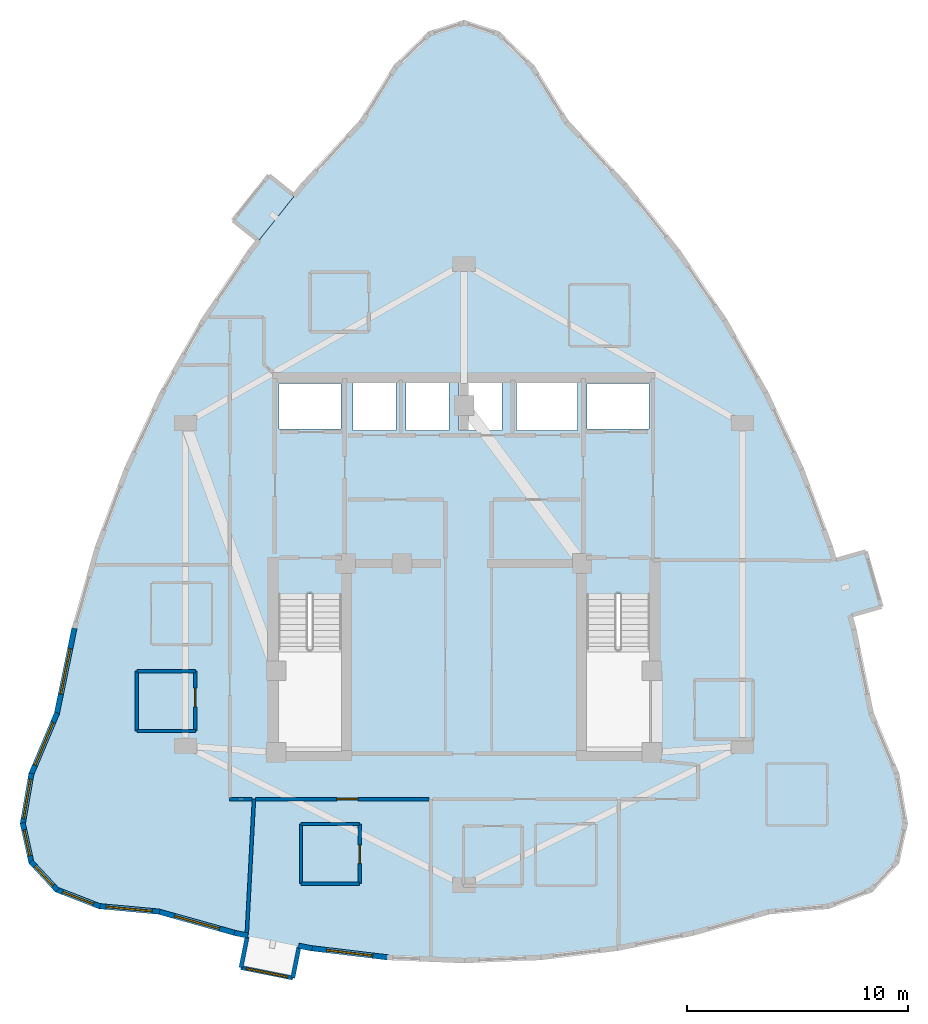
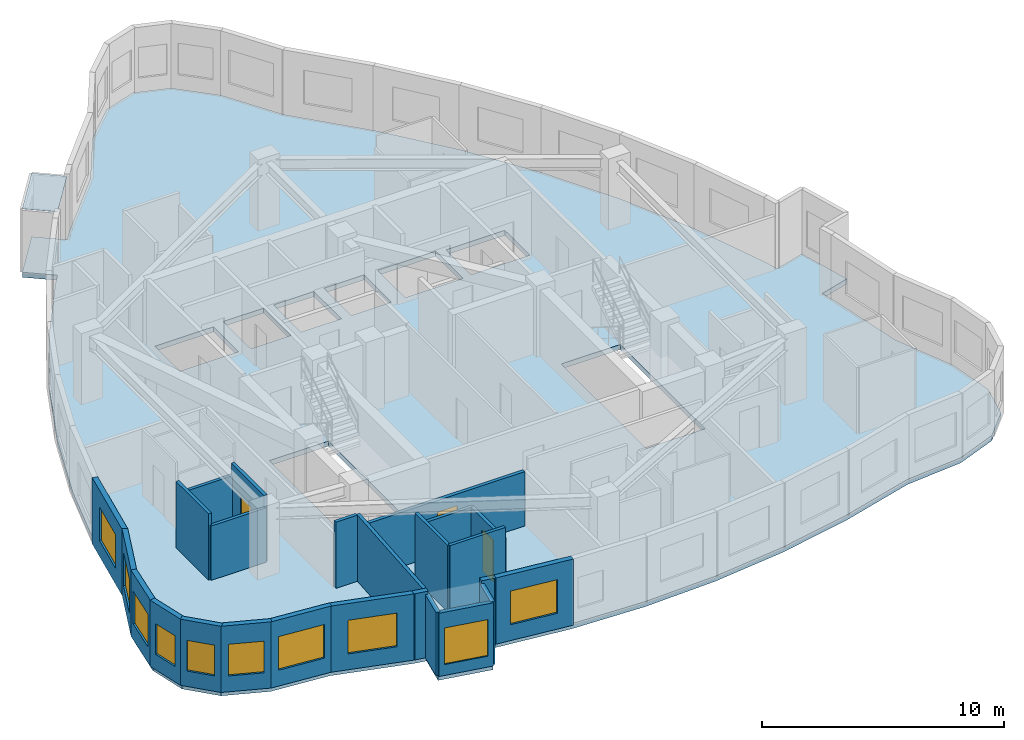
# One storey, part 4 of 10: 25 walls, 10 windows, 3 doors, 1 plate, 1 slab, 13 openings.
"""IFC4 building model written with IfcOpenShell, lengths in metres."""

from ifc_helpers import new_model, si_unit, direction, frame, frame_2d, origin, place, context, subcontext, project, spatial, polyline, rectangle, outline, extrude, material, layer, layer_set, type_object, element, fill, save


model = new_model("IFC4")

# Units and contexts
model_context = context("Model", 3, precision=1e-05, world=origin(), true_north=direction((0.0, 1.0)))
body_context = subcontext(model_context, "Body", "Model", "MODEL_VIEW")
ifc_project = project(units=[si_unit("LENGTHUNIT", "METRE"), si_unit("AREAUNIT", "SQUARE_METRE"), si_unit("VOLUMEUNIT", "CUBIC_METRE"), si_unit("PLANEANGLEUNIT", "RADIAN"), si_unit("MASSUNIT", "GRAM", prefix="KILO")], contexts=[model_context])

# Site, building, storey
site_placement = place(None, origin())
site = spatial("IfcSite", under=ifc_project, at=site_placement, CompositionType="ELEMENT")
building_placement = place(site_placement, origin())
building = spatial("IfcBuilding", under=site, at=building_placement, Name="Miruveldt Soraemaru", CompositionType="ELEMENT")
storey_placement = place(building_placement, frame((0.0, 0.0, 230.39990234375)))
storey = spatial("IfcBuildingStorey", under=building, at=storey_placement, Name="L63", CompositionType="ELEMENT", Elevation=230.39990234375)

# Plate
ifc_material_1 = material(Name="Standing-seam titanium-zinc sheet", Category="aluminium")
ifc_layer_1 = layer(ifc_material_1, 0.011962890625, Name="Standing-seam titanium-zinc sheet", Category="aluminium")
ifc_layer_set_1 = layer_set([ifc_layer_1], Name="Standing-seam titanium-zinc sheet")
plate_type = type_object("IfcPlateType", Name="PLT-ZINC-12", PredefinedType="SHEET", material=ifc_layer_set_1)
plate_placement = place(storey_placement, frame((0.0, 0.0, 3.195068359375)))
element("IfcPlate", 1, at=plate_placement, inside=storey, type_object=plate_type, Name="L63 Bay Window Zinc Hood Sheet 1", PredefinedType="SHEET", context=body_context, shape_type="SweptSolid", body=[
    extrude(outline(polyline([(36.333251953125, 60.684814453125), (34.7119140625, 58.652099609375), (33.5546875, 59.5751953125), (35.17626953125, 61.607666015625), (36.333251953125, 60.684814453125)])), origin(), (0.0, 0.0, 1.0), 0.011962890625),
])

# Slab
ifc_material_2 = material(Name="Concrete C40/50 (40 MPa)", Category="concrete")
ifc_layer_2 = layer(ifc_material_2, 0.2548828125, Name="Concrete C40/50 (40 MPa)", Category="concrete")
ifc_layer_set_2 = layer_set([ifc_layer_2], Name="Concrete C40/50 (40 MPa)")
slab_type = type_object("IfcSlabType", Name="SLAB-RES3-255", PredefinedType="FLOOR", material=ifc_layer_set_2)
slab_placement = place(storey_placement, frame((0.0, 0.0, -0.2548828125)))
element("IfcSlab", 2, at=slab_placement, inside=storey, type_object=slab_type, Name="L63 Structural Floor Slab", PredefinedType="FLOOR", context=body_context, shape_type="SweptSolid", body=[
    extrude(outline(polyline([(33.65087890625, 27.338134765625), (30.201416015625, 28.303955078125), (27.507080078125, 28.552978515625), (25.58251953125, 29.299560546875), (24.427734375, 30.5439453125), (24.04296875, 32.2861328125), (24.427734375, 34.526123046875), (25.58251953125, 37.263916015625), (26.37060546875, 41.093017578125), (27.426025390625, 44.783935546875), (28.74951171875, 48.3369140625), (30.34033203125, 51.751953125), (32.19921875, 55.02880859375), (34.325439453125, 58.16796875), (34.7119140625, 58.652099609375), (33.5546875, 59.5751953125), (35.17626953125, 61.607666015625), (36.333251953125, 60.684814453125), (35.5224609375, 59.66845703125), (36.719482421875, 61.1689453125), (39.381103515625, 64.031982421875), (40.9208984375, 66.52099609375), (42.46044921875, 68.014404296875), (44.0, 68.511962890625), (45.53955078125, 68.014404296875), (47.0791015625, 66.52099609375), (48.618896484375, 64.031982421875), (51.280517578125, 61.1689453125), (53.674560546875, 58.16796875), (55.80078125, 55.02880859375), (57.65966796875, 51.751953125), (59.25048828125, 48.3369140625), (60.573974609375, 44.783935546875), (60.744140625, 44.188232421875), (62.167236328125, 44.59521484375), (62.882080078125, 42.095458984375), (61.459228515625, 41.6884765625), (61.101806640625, 42.9384765625), (61.62939453125, 41.093017578125), (62.41748046875, 37.263916015625), (63.572265625, 34.526123046875), (63.95703125, 32.2861328125), (63.572265625, 30.5439453125), (62.41748046875, 29.299560546875), (60.492919921875, 28.552978515625), (57.798583984375, 28.303955078125), (54.34912109375, 27.338134765625), (50.8994140625, 26.648193359375), (47.44970703125, 26.234130859375), (44.0, 26.09619140625), (40.55029296875, 26.234130859375), (37.1005859375, 26.648193359375), (36.548583984375, 26.758544921875), (36.25830078125, 25.307373046875), (33.912841796875, 25.7763671875), (34.202880859375, 27.227783203125), (33.65087890625, 27.338134765625)]), holes=[polyline([(35.614990234375, 35.6650390625), (38.43505859375, 35.6650390625), (38.43505859375, 42.68505859375), (35.614990234375, 42.68505859375), (35.614990234375, 35.6650390625)]), polyline([(49.56494140625, 35.6650390625), (52.385009765625, 35.6650390625), (52.385009765625, 42.68505859375), (49.56494140625, 42.68505859375), (49.56494140625, 35.6650390625)]), polyline([(38.445068359375, 50.135009765625), (38.445068359375, 52.205078125), (35.635009765625, 52.205078125), (35.635009765625, 50.135009765625), (38.445068359375, 50.135009765625)]), polyline([(52.364990234375, 50.135009765625), (52.364990234375, 52.205078125), (49.554931640625, 52.205078125), (49.554931640625, 50.135009765625), (52.364990234375, 50.135009765625)]), polyline([(40.9150390625, 50.06494140625), (40.9150390625, 52.3349609375), (38.985107421875, 52.3349609375), (38.985107421875, 50.06494140625), (40.9150390625, 50.06494140625)]), polyline([(43.31494140625, 50.06494140625), (43.31494140625, 52.3349609375), (41.385009765625, 52.3349609375), (41.385009765625, 50.06494140625), (43.31494140625, 50.06494140625)]), polyline([(45.715087890625, 50.06494140625), (45.715087890625, 52.3349609375), (43.784912109375, 52.3349609375), (43.784912109375, 50.06494140625), (45.715087890625, 50.06494140625)]), polyline([(49.135009765625, 50.06494140625), (49.135009765625, 52.3349609375), (46.364990234375, 52.3349609375), (46.364990234375, 50.06494140625), (49.135009765625, 50.06494140625)])]), origin(), (0.0, 0.0, 1.0), 0.2548828125),
])

# Walls
ifc_material_3 = material(Name="White powder-coated aluminium EN AW-6060 T6", Category="aluminium")
ifc_layer_3 = layer(ifc_material_3, 0.18994140625, Name="White powder-coated aluminium EN AW-6060 T6", Category="aluminium")
ifc_layer_set_3 = layer_set([ifc_layer_3], Name="White powder-coated aluminium EN AW-6060 T6")
wall_type_1 = type_object("IfcWallType", Name="WALL-BAY-ALU190", PredefinedType="SOLIDWALL", material=ifc_layer_set_3)
wall_1_placement = place(storey_placement, frame((34.192138671875, 27.173828125, 0.0), z_axis=(0.0, 0.0, 1.0), x_axis=(-0.195984352603, -0.980607022989, 0.0)))
element("IfcWall", 3, at=wall_1_placement, inside=storey, type_object=wall_type_1, Name="L63 Bay Window Side Cheek 2L", PredefinedType="SOLIDWALL", context=body_context, shape_type="SweptSolid", body=[
    extrude(rectangle(XDim=1.425048828125, YDim=0.18994140625, at=frame_2d((0.71240234375, 0.0))), origin(), (0.0, 0.0, 1.0), 3.195068359375),
])
wall_2_placement = place(storey_placement, frame((36.25830078125, 25.307373046875, 0.0), z_axis=(0.0, 0.0, 1.0), x_axis=(0.196182033934, 0.980567493629, 0.0)))
element("IfcWall", 4, at=wall_2_placement, inside=storey, type_object=wall_type_1, Name="L63 Bay Window Side Cheek 2R", PredefinedType="SOLIDWALL", context=body_context, shape_type="SweptSolid", body=[
    extrude(rectangle(XDim=1.4248046875, YDim=0.18994140625, at=frame_2d((0.71240234375, 0.0))), origin(), (0.0, 0.0, 1.0), 3.195068359375),
])

# Wall, opening, window
wall_3_placement = place(storey_placement, frame((33.912841796875, 25.7763671875, 0.0), z_axis=(0.0, 0.0, 1.0), x_axis=(0.98058852646, -0.196076877207, 0.0)))
wall_3 = element("IfcWall", 5, at=wall_3_placement, inside=storey, type_object=wall_type_1, Name="L63 Bay Window Front Frame 2", PredefinedType="SOLIDWALL", context=body_context, shape_type="SweptSolid", body=[
    extrude(rectangle(XDim=2.391845703125, YDim=0.18994140625, at=frame_2d((1.19580078125, 0.0))), origin(), (0.0, 0.0, 1.0), 3.195068359375),
])
opening_1_placement = place(wall_3_placement, frame((0.24609375, 0.0, 0.550048828125)))
opening_1 = element("IfcOpeningElement", 6, at=opening_1_placement, cuts=wall_3, Name="Opening WN-6", PredefinedType="OPENING", context=body_context, shape_type="SweptSolid", body=[
    extrude(rectangle(XDim=1.89990234375, YDim=1.85009765625, at=frame_2d((0.949951171875, 0.925048828125))), frame((0.0, 0.10498046875, 0.0), z_axis=(0.0, -1.0, 0.0), x_axis=(1.0, 0.0, 0.0)), (0.0, 0.0, 1.0), 0.2099609375),
])
ifc_material_4 = material(Name="Triple low-e insulated glazing", Category="glass")
window_type_1 = type_object("IfcWindowType", Name="WIN-BAYW-1900x1850", PartitioningType="SINGLE_PANEL", PredefinedType="WINDOW", material=ifc_material_4)
window_1_placement = place(opening_1_placement, origin())
window_1 = element("IfcWindow", 7, at=window_1_placement, inside=storey, type_object=window_type_1, Name="L63 Projecting Bay Window 2", OverallHeight=1.85009765625, OverallWidth=1.89990234375, PartitioningType="SINGLE_PANEL", PredefinedType="WINDOW", context=body_context, shape_type="SweptSolid", body=[
    extrude(rectangle(XDim=1.89990234375, YDim=1.85009765625, at=frame_2d((0.949951171875, 0.925048828125))), frame((0.0, 0.030029296875, 0.0), z_axis=(0.0, -1.0, 0.0), x_axis=(1.0, 0.0, 0.0)), (0.0, 0.0, 1.0), 0.06005859375),
])
fill(opening_1, window_1)

ifc_material_5 = material(Name="Precast concrete C45/55 (45 MPa)", Category="concrete")
ifc_layer_4 = layer(ifc_material_5, 0.239990234375, Name="Precast concrete C45/55 (45 MPa)", Category="concrete")
ifc_layer_set_4 = layer_set([ifc_layer_4], Name="Precast concrete C45/55 (45 MPa)")
wall_type_2 = type_object("IfcWallType", Name="WALL-EXT-PC240", PredefinedType="SOLIDWALL", material=ifc_layer_set_4)
wall_4_placement = place(storey_placement, frame((26.377685546875, 41.127197265625, 0.0), z_axis=(0.0, 0.0, 1.0), x_axis=(-0.20159925737, -0.979468090051, 0.0)))
wall_4 = element("IfcWall", 8, at=wall_4_placement, inside=storey, type_object=wall_type_2, Name="L63 Precast Concrete Facade Wall 14", PredefinedType="SOLIDWALL", context=body_context, shape_type="SweptSolid", body=[
    extrude(rectangle(XDim=3.9794921875, YDim=0.239990234375, at=frame_2d((1.98974609375, 0.0))), origin(), (0.0, 0.0, 1.0), 3.34521484375),
])
opening_2_placement = place(wall_4_placement, frame((0.93994140625, 0.0, 0.800048828125)))
opening_2 = element("IfcOpeningElement", 9, at=opening_2_placement, cuts=wall_4, Name="Opening WN-1", PredefinedType="OPENING", context=body_context, shape_type="SweptSolid", body=[
    extrude(rectangle(XDim=2.10009765625, YDim=1.699951171875, at=frame_2d((1.050048828125, 0.85009765625))), frame((0.0, 0.1298828125, 0.0), z_axis=(0.0, -1.0, 0.0), x_axis=(1.0, 0.0, 0.0)), (0.0, 0.0, 1.0), 0.260009765625),
])
window_type_2 = type_object("IfcWindowType", Name="WIN-PUNCH-2100x1700", PartitioningType="SINGLE_PANEL", PredefinedType="WINDOW", material=ifc_material_4)
window_2_placement = place(opening_2_placement, origin())
window_2 = element("IfcWindow", 10, at=window_2_placement, inside=storey, type_object=window_type_2, Name="L63 Punched Triple-Glazed Window 14.1", OverallHeight=1.699951171875, OverallWidth=2.10009765625, PartitioningType="SINGLE_PANEL", PredefinedType="WINDOW", context=body_context, shape_type="SweptSolid", body=[
    extrude(rectangle(XDim=2.10009765625, YDim=1.699951171875, at=frame_2d((1.050048828125, 0.85009765625))), frame((0.0, 0.030029296875, 0.0), z_axis=(0.0, -1.0, 0.0), x_axis=(1.0, 0.0, 0.0)), (0.0, 0.0, 1.0), 0.06005859375),
])
fill(opening_2, window_2)

wall_5_placement = place(storey_placement, frame((25.59619140625, 37.296142578125, 0.0), z_axis=(0.0, 0.0, 1.0), x_axis=(-0.388613190648, -0.921400991998, 0.0)))
wall_5 = element("IfcWall", 11, at=wall_5_placement, inside=storey, type_object=wall_type_2, Name="L63 Precast Concrete Facade Wall 15", PredefinedType="SOLIDWALL", context=body_context, shape_type="SweptSolid", body=[
    extrude(rectangle(XDim=3.041259765625, YDim=0.239990234375, at=frame_2d((1.5205078125, 0.0))), origin(), (0.0, 0.0, 1.0), 3.34521484375),
])
opening_3_placement = place(wall_5_placement, frame((0.470947265625, 0.0, 0.800048828125)))
opening_3 = element("IfcOpeningElement", 12, at=opening_3_placement, cuts=wall_5, Name="Opening WN-1", PredefinedType="OPENING", context=body_context, shape_type="SweptSolid", body=[
    extrude(rectangle(XDim=2.10009765625, YDim=1.699951171875, at=frame_2d((1.050048828125, 0.85009765625))), frame((0.0, 0.1298828125, 0.0), z_axis=(0.0, -1.0, 0.0), x_axis=(1.0, 0.0, 0.0)), (0.0, 0.0, 1.0), 0.260009765625),
])
window_3_placement = place(opening_3_placement, origin())
window_3 = element("IfcWindow", 13, at=window_3_placement, inside=storey, type_object=window_type_2, Name="L63 Punched Triple-Glazed Window 15.1", OverallHeight=1.699951171875, OverallWidth=2.10009765625, PartitioningType="SINGLE_PANEL", PredefinedType="WINDOW", context=body_context, shape_type="SweptSolid", body=[
    extrude(rectangle(XDim=2.10009765625, YDim=1.699951171875, at=frame_2d((1.050048828125, 0.85009765625))), frame((0.0, 0.030029296875, 0.0), z_axis=(0.0, -1.0, 0.0), x_axis=(1.0, 0.0, 0.0)), (0.0, 0.0, 1.0), 0.06005859375),
])
fill(opening_3, window_3)

wall_6_placement = place(storey_placement, frame((24.43359375, 34.560791015625, 0.0), z_axis=(0.0, 0.0, 1.0), x_axis=(-0.16922990098, -0.985576603118, 0.0)))
wall_6 = element("IfcWall", 14, at=wall_6_placement, inside=storey, type_object=wall_type_2, Name="L63 Precast Concrete Facade Wall 16", PredefinedType="SOLIDWALL", context=body_context, shape_type="SweptSolid", body=[
    extrude(rectangle(XDim=2.3427734375, YDim=0.239990234375, at=frame_2d((1.17138671875, 0.0))), origin(), (0.0, 0.0, 1.0), 3.34521484375),
])
opening_4_placement = place(wall_6_placement, frame((0.27099609375, 0.0, 0.800048828125)))
opening_4 = element("IfcOpeningElement", 15, at=opening_4_placement, cuts=wall_6, Name="Opening WN-2", PredefinedType="OPENING", context=body_context, shape_type="SweptSolid", body=[
    extrude(rectangle(XDim=1.800048828125, YDim=1.64990234375, at=frame_2d((0.89990234375, 0.824951171875))), frame((0.0, 0.1298828125, 0.0), z_axis=(0.0, -1.0, 0.0), x_axis=(1.0, 0.0, 0.0)), (0.0, 0.0, 1.0), 0.260009765625),
])
window_type_3 = type_object("IfcWindowType", Name="WIN-PUNCH-1800x1650", PartitioningType="SINGLE_PANEL", PredefinedType="WINDOW", material=ifc_material_4)
window_4_placement = place(opening_4_placement, origin())
window_4 = element("IfcWindow", 16, at=window_4_placement, inside=storey, type_object=window_type_3, Name="L63 Punched Triple-Glazed Window 16.1", OverallHeight=1.64990234375, OverallWidth=1.800048828125, PartitioningType="SINGLE_PANEL", PredefinedType="WINDOW", context=body_context, shape_type="SweptSolid", body=[
    extrude(rectangle(XDim=1.800048828125, YDim=1.64990234375, at=frame_2d((0.89990234375, 0.824951171875))), frame((0.0, 0.030029296875, 0.0), z_axis=(0.0, -1.0, 0.0), x_axis=(1.0, 0.0, 0.0)), (0.0, 0.0, 1.0), 0.06005859375),
])
fill(opening_4, window_4)

wall_7_placement = place(storey_placement, frame((24.035400390625, 32.3203125, 0.0), z_axis=(0.0, 0.0, 1.0), x_axis=(0.215675540506, -0.97646508449, 0.0)))
wall_7 = element("IfcWall", 17, at=wall_7_placement, inside=storey, type_object=wall_type_2, Name="L63 Precast Concrete Facade Wall 17", PredefinedType="SOLIDWALL", context=body_context, shape_type="SweptSolid", body=[
    extrude(rectangle(XDim=1.854248046875, YDim=0.239990234375, at=frame_2d((0.92724609375, 0.0))), origin(), (0.0, 0.0, 1.0), 3.34521484375),
])
opening_5_placement = place(wall_7_placement, frame((0.326904296875, 0.0, 0.780029296875)))
opening_5 = element("IfcOpeningElement", 18, at=opening_5_placement, cuts=wall_7, Name="Opening WN-4", PredefinedType="OPENING", context=body_context, shape_type="SweptSolid", body=[
    extrude(rectangle(XDim=1.199951171875, YDim=1.550048828125, at=frame_2d((0.60009765625, 0.77490234375))), frame((0.0, 0.1298828125, 0.0), z_axis=(0.0, -1.0, 0.0), x_axis=(1.0, 0.0, 0.0)), (0.0, 0.0, 1.0), 0.260009765625),
])
window_type_4 = type_object("IfcWindowType", Name="WIN-PUNCH-1200x1550", PartitioningType="SINGLE_PANEL", PredefinedType="WINDOW", material=ifc_material_4)
window_5_placement = place(opening_5_placement, origin())
window_5 = element("IfcWindow", 19, at=window_5_placement, inside=storey, type_object=window_type_4, Name="L63 Punched Triple-Glazed Window 17.1", OverallHeight=1.550048828125, OverallWidth=1.199951171875, PartitioningType="SINGLE_PANEL", PredefinedType="WINDOW", context=body_context, shape_type="SweptSolid", body=[
    extrude(rectangle(XDim=1.199951171875, YDim=1.550048828125, at=frame_2d((0.60009765625, 0.77490234375))), frame((0.0, 0.030029296875, 0.0), z_axis=(0.0, -1.0, 0.0), x_axis=(1.0, 0.0, 0.0)), (0.0, 0.0, 1.0), 0.06005859375),
])
fill(opening_5, window_5)

wall_8_placement = place(storey_placement, frame((24.404052734375, 30.569580078125, 0.0), z_axis=(0.0, 0.0, 1.0), x_axis=(0.680090776323, -0.733127912414, 0.0)))
wall_8 = element("IfcWall", 20, at=wall_8_placement, inside=storey, type_object=wall_type_2, Name="L63 Precast Concrete Facade Wall 18", PredefinedType="SOLIDWALL", context=body_context, shape_type="SweptSolid", body=[
    extrude(rectangle(XDim=1.767578125, YDim=0.239990234375, at=frame_2d((0.8837890625, 0.0))), origin(), (0.0, 0.0, 1.0), 3.34521484375),
])
opening_6_placement = place(wall_8_placement, frame((0.283935546875, 0.0, 0.780029296875)))
opening_6 = element("IfcOpeningElement", 21, at=opening_6_placement, cuts=wall_8, Name="Opening WN-4", PredefinedType="OPENING", context=body_context, shape_type="SweptSolid", body=[
    extrude(rectangle(XDim=1.199951171875, YDim=1.550048828125, at=frame_2d((0.60009765625, 0.77490234375))), frame((0.0, 0.1298828125, 0.0), z_axis=(0.0, -1.0, 0.0), x_axis=(1.0, 0.0, 0.0)), (0.0, 0.0, 1.0), 0.260009765625),
])
window_6_placement = place(opening_6_placement, origin())
window_6 = element("IfcWindow", 22, at=window_6_placement, inside=storey, type_object=window_type_4, Name="L63 Punched Triple-Glazed Window 18.1", OverallHeight=1.550048828125, OverallWidth=1.199951171875, PartitioningType="SINGLE_PANEL", PredefinedType="WINDOW", context=body_context, shape_type="SweptSolid", body=[
    extrude(rectangle(XDim=1.199951171875, YDim=1.550048828125, at=frame_2d((0.60009765625, 0.77490234375))), frame((0.0, 0.030029296875, 0.0), z_axis=(0.0, -1.0, 0.0), x_axis=(1.0, 0.0, 0.0)), (0.0, 0.0, 1.0), 0.06005859375),
])
fill(opening_6, window_6)

wall_9_placement = place(storey_placement, frame((25.5498046875, 29.312255859375, 0.0), z_axis=(0.0, 0.0, 1.0), x_axis=(0.932292043889, -0.361706434697, 0.0)))
wall_9 = element("IfcWall", 23, at=wall_9_placement, inside=storey, type_object=wall_type_2, Name="L63 Precast Concrete Facade Wall 19", PredefinedType="SOLIDWALL", context=body_context, shape_type="SweptSolid", body=[
    extrude(rectangle(XDim=2.13427734375, YDim=0.239990234375, at=frame_2d((1.067138671875, 0.0))), origin(), (0.0, 0.0, 1.0), 3.34521484375),
])
opening_7_placement = place(wall_9_placement, frame((0.31689453125, 0.0, 0.800048828125)))
opening_7 = element("IfcOpeningElement", 24, at=opening_7_placement, cuts=wall_9, Name="Opening WN-3", PredefinedType="OPENING", context=body_context, shape_type="SweptSolid", body=[
    extrude(rectangle(XDim=1.5, YDim=1.60009765625, at=frame_2d((0.75, 0.800048828125))), frame((0.0, 0.1298828125, 0.0), z_axis=(0.0, -1.0, 0.0), x_axis=(1.0, 0.0, 0.0)), (0.0, 0.0, 1.0), 0.260009765625),
])
window_type_5 = type_object("IfcWindowType", Name="WIN-PUNCH-1500x1600", PartitioningType="SINGLE_PANEL", PredefinedType="WINDOW", material=ifc_material_4)
window_7_placement = place(opening_7_placement, origin())
window_7 = element("IfcWindow", 25, at=window_7_placement, inside=storey, type_object=window_type_5, Name="L63 Punched Triple-Glazed Window 19.1", OverallHeight=1.60009765625, OverallWidth=1.5, PartitioningType="SINGLE_PANEL", PredefinedType="WINDOW", context=body_context, shape_type="SweptSolid", body=[
    extrude(rectangle(XDim=1.5, YDim=1.60009765625, at=frame_2d((0.75, 0.800048828125))), frame((0.0, 0.030029296875, 0.0), z_axis=(0.0, -1.0, 0.0), x_axis=(1.0, 0.0, 0.0)), (0.0, 0.0, 1.0), 0.06005859375),
])
fill(opening_7, window_7)

wall_10_placement = place(storey_placement, frame((27.47216796875, 28.55615234375, 0.0), z_axis=(0.0, 0.0, 1.0), x_axis=(0.995758748677, -0.092002795788, 0.0)))
wall_10 = element("IfcWall", 26, at=wall_10_placement, inside=storey, type_object=wall_type_2, Name="L63 Precast Concrete Facade Wall 20", PredefinedType="SOLIDWALL", context=body_context, shape_type="SweptSolid", body=[
    extrude(rectangle(XDim=2.775634765625, YDim=0.239990234375, at=frame_2d((1.3876953125, 0.0))), origin(), (0.0, 0.0, 1.0), 3.34521484375),
])
opening_8_placement = place(wall_10_placement, frame((0.337890625, 0.0, 0.800048828125)))
opening_8 = element("IfcOpeningElement", 27, at=opening_8_placement, cuts=wall_10, Name="Opening WN-1", PredefinedType="OPENING", context=body_context, shape_type="SweptSolid", body=[
    extrude(rectangle(XDim=2.10009765625, YDim=1.699951171875, at=frame_2d((1.050048828125, 0.85009765625))), frame((0.0, 0.1298828125, 0.0), z_axis=(0.0, -1.0, 0.0), x_axis=(1.0, 0.0, 0.0)), (0.0, 0.0, 1.0), 0.260009765625),
])
window_8_placement = place(opening_8_placement, origin())
window_8 = element("IfcWindow", 28, at=window_8_placement, inside=storey, type_object=window_type_2, Name="L63 Punched Triple-Glazed Window 20.1", OverallHeight=1.699951171875, OverallWidth=2.10009765625, PartitioningType="SINGLE_PANEL", PredefinedType="WINDOW", context=body_context, shape_type="SweptSolid", body=[
    extrude(rectangle(XDim=2.10009765625, YDim=1.699951171875, at=frame_2d((1.050048828125, 0.85009765625))), frame((0.0, 0.030029296875, 0.0), z_axis=(0.0, -1.0, 0.0), x_axis=(1.0, 0.0, 0.0)), (0.0, 0.0, 1.0), 0.06005859375),
])
fill(opening_8, window_8)

wall_11_placement = place(storey_placement, frame((30.16748046875, 28.3134765625, 0.0), z_axis=(0.0, 0.0, 1.0), x_axis=(0.962963325527, -0.269632404746, 0.0)))
wall_11 = element("IfcWall", 29, at=wall_11_placement, inside=storey, type_object=wall_type_2, Name="L63 Precast Concrete Facade Wall 21", PredefinedType="SOLIDWALL", context=body_context, shape_type="SweptSolid", body=[
    extrude(rectangle(XDim=3.652587890625, YDim=0.239990234375, at=frame_2d((1.826171875, 0.0))), origin(), (0.0, 0.0, 1.0), 3.34521484375),
])
opening_9_placement = place(wall_11_placement, frame((0.77587890625, 0.0, 0.800048828125)))
opening_9 = element("IfcOpeningElement", 30, at=opening_9_placement, cuts=wall_11, Name="Opening WN-1", PredefinedType="OPENING", context=body_context, shape_type="SweptSolid", body=[
    extrude(rectangle(XDim=2.10009765625, YDim=1.699951171875, at=frame_2d((1.050048828125, 0.85009765625))), frame((0.0, 0.1298828125, 0.0), z_axis=(0.0, -1.0, 0.0), x_axis=(1.0, 0.0, 0.0)), (0.0, 0.0, 1.0), 0.260009765625),
])
window_9_placement = place(opening_9_placement, origin())
window_9 = element("IfcWindow", 31, at=window_9_placement, inside=storey, type_object=window_type_2, Name="L63 Punched Triple-Glazed Window 21.1", OverallHeight=1.699951171875, OverallWidth=2.10009765625, PartitioningType="SINGLE_PANEL", PredefinedType="WINDOW", context=body_context, shape_type="SweptSolid", body=[
    extrude(rectangle(XDim=2.10009765625, YDim=1.699951171875, at=frame_2d((1.050048828125, 0.85009765625))), frame((0.0, 0.030029296875, 0.0), z_axis=(0.0, -1.0, 0.0), x_axis=(1.0, 0.0, 0.0)), (0.0, 0.0, 1.0), 0.06005859375),
])
fill(opening_9, window_9)

# Walls
for number, where, z_axis, x_axis, name in (
    (32, (33.61669921875, 27.344970703125, 0.0), (0.0, 0.0, 1.0), (0.980535789313, -0.196340433625, 0.0), "L63 Precast Pier Wall 22A"),
    (33, (36.519287109375, 26.764404296875, 0.0), (0.0, 0.0, 1.0), (0.980610573717, -0.195966585707, 0.0), "L63 Precast Pier Wall 22B"),
):
    element("IfcWall", number, at=place(storey_placement, frame(where, z_axis=z_axis, x_axis=x_axis)), inside=storey, type_object=wall_type_2, Name=name, PredefinedType="SOLIDWALL", context=body_context, shape_type="SweptSolid", body=[
        extrude(rectangle(XDim=0.6279296875, YDim=0.239990234375, at=frame_2d((0.31396484375, 0.0))), origin(), (0.0, 0.0, 1.0), 3.34521484375),
    ])

# Wall, opening, window
wall_12_placement = place(storey_placement, frame((37.06591796875, 26.65234375, 0.0), z_axis=(0.0, 0.0, 1.0), x_axis=(0.99287520879, -0.119158800639, 0.0)))
wall_12 = element("IfcWall", 34, at=wall_12_placement, inside=storey, type_object=wall_type_2, Name="L63 Precast Concrete Facade Wall 23", PredefinedType="SOLIDWALL", context=body_context, shape_type="SweptSolid", body=[
    extrude(rectangle(XDim=3.54443359375, YDim=0.239990234375, at=frame_2d((1.772216796875, 0.0))), origin(), (0.0, 0.0, 1.0), 3.34521484375),
])
opening_10_placement = place(wall_12_placement, frame((0.722900390625, 0.0, 0.800048828125)))
opening_10 = element("IfcOpeningElement", 35, at=opening_10_placement, cuts=wall_12, Name="Opening WN-1", PredefinedType="OPENING", context=body_context, shape_type="SweptSolid", body=[
    extrude(rectangle(XDim=2.10009765625, YDim=1.699951171875, at=frame_2d((1.050048828125, 0.85009765625))), frame((0.0, 0.1298828125, 0.0), z_axis=(0.0, -1.0, 0.0), x_axis=(1.0, 0.0, 0.0)), (0.0, 0.0, 1.0), 0.260009765625),
])
window_10_placement = place(opening_10_placement, origin())
window_10 = element("IfcWindow", 36, at=window_10_placement, inside=storey, type_object=window_type_2, Name="L63 Punched Triple-Glazed Window 23.1", OverallHeight=1.699951171875, OverallWidth=2.10009765625, PartitioningType="SINGLE_PANEL", PredefinedType="WINDOW", context=body_context, shape_type="SweptSolid", body=[
    extrude(rectangle(XDim=2.10009765625, YDim=1.699951171875, at=frame_2d((1.050048828125, 0.85009765625))), frame((0.0, 0.030029296875, 0.0), z_axis=(0.0, -1.0, 0.0), x_axis=(1.0, 0.0, 0.0)), (0.0, 0.0, 1.0), 0.06005859375),
])
fill(opening_10, window_10)

# Wall, opening, door
ifc_material_6 = material(Name="Gypsum plasterboard lining", Category="gypsum")
ifc_layer_5 = layer(ifc_material_6, 0.14990234375, Name="Gypsum plasterboard lining", Category="gypsum")
ifc_layer_set_5 = layer_set([ifc_layer_5], Name="Gypsum plasterboard lining")
wall_type_3 = type_object("IfcWallType", Name="WALL-INT-PLUMB", PredefinedType="PLUMBINGWALL", material=ifc_layer_set_5)
wall_13_placement = place(storey_placement, frame((31.85009765625, 36.47998046875, 0.0), z_axis=(0.0, 0.0, 1.0), x_axis=(0.0, 1.0, 0.0)))
wall_13 = element("IfcWall", 37, at=wall_13_placement, inside=storey, type_object=wall_type_3, Name="L63 Partition Wall 24", PredefinedType="PLUMBINGWALL", context=body_context, shape_type="SweptSolid", body=[
    extrude(rectangle(XDim=2.699951171875, YDim=0.14990234375, at=frame_2d((1.35009765625, 0.0))), origin(), (0.0, 0.0, 1.0), 3.34521484375),
])
opening_11_placement = place(wall_13_placement, frame((1.090087890625, 0.0, 0.0)))
opening_11 = element("IfcOpeningElement", 38, at=opening_11_placement, cuts=wall_13, Name="Opening FD3", PredefinedType="OPENING", context=body_context, shape_type="SweptSolid", body=[
    extrude(rectangle(XDim=0.85009765625, YDim=2.10009765625, at=frame_2d((0.425048828125, 1.050048828125))), frame((0.0, 0.0849609375, 0.0), z_axis=(0.0, -1.0, 0.0), x_axis=(1.0, 0.0, 0.0)), (0.0, 0.0, 1.0), 0.169921875),
])
ifc_material_7 = material(Name="Anodised aluminium EN AW-6063 T6", Category="aluminium")
door_type_1 = type_object("IfcDoorType", Name="DOOR-FD3-850", OperationType="NOTDEFINED", PredefinedType="DOOR", material=ifc_material_7)
door_1_placement = place(opening_11_placement, origin())
door_1 = element("IfcDoor", 39, at=door_1_placement, inside=storey, type_object=door_type_1, Name="L63 Unit 6303 BTH Door", OperationType="SINGLE_SWING_RIGHT", OverallHeight=2.10009765625, OverallWidth=0.85009765625, PredefinedType="DOOR", context=body_context, shape_type="SweptSolid", body=[
    extrude(rectangle(XDim=0.85009765625, YDim=2.10009765625, at=frame_2d((0.425048828125, 1.050048828125))), frame((0.0, 0.02490234375, 0.0), z_axis=(0.0, -1.0, 0.0), x_axis=(1.0, 0.0, 0.0)), (0.0, 0.0, 1.0), 0.050048828125),
])
fill(opening_11, door_1)

wall_14_placement = place(storey_placement, frame((39.280029296875, 29.568115234375, 0.0), z_axis=(0.0, 0.0, 1.0), x_axis=(0.0, 1.0, 0.0)))
wall_14 = element("IfcWall", 40, at=wall_14_placement, inside=storey, type_object=wall_type_3, Name="L63 Partition Wall 33", PredefinedType="PLUMBINGWALL", context=body_context, shape_type="SweptSolid", body=[
    extrude(rectangle(XDim=2.699951171875, YDim=0.14990234375, at=frame_2d((1.35009765625, 0.0))), origin(), (0.0, 0.0, 1.0), 2.7451171875),
])
opening_12_placement = place(wall_14_placement, frame((0.909912109375, 0.0, 0.0)))
opening_12 = element("IfcOpeningElement", 41, at=opening_12_placement, cuts=wall_14, Name="Opening FD3", PredefinedType="OPENING", context=body_context, shape_type="SweptSolid", body=[
    extrude(rectangle(XDim=0.85009765625, YDim=2.10009765625, at=frame_2d((0.425048828125, 1.050048828125))), frame((0.0, 0.0849609375, 0.0), z_axis=(0.0, -1.0, 0.0), x_axis=(1.0, 0.0, 0.0)), (0.0, 0.0, 1.0), 0.169921875),
])
door_2_placement = place(opening_12_placement, origin())
door_2 = element("IfcDoor", 42, at=door_2_placement, inside=storey, type_object=door_type_1, Name="L63 Unit CL05 BTH Door", OperationType="SINGLE_SWING_LEFT", OverallHeight=2.10009765625, OverallWidth=0.85009765625, PredefinedType="DOOR", context=body_context, shape_type="SweptSolid", body=[
    extrude(rectangle(XDim=0.85009765625, YDim=2.10009765625, at=frame_2d((0.425048828125, 1.050048828125))), frame((0.0, 0.02490234375, 0.0), z_axis=(0.0, -1.0, 0.0), x_axis=(1.0, 0.0, 0.0)), (0.0, 0.0, 1.0), 0.050048828125),
])
fill(opening_12, door_2)

# Walls
for number, where, z_axis, x_axis, name in (
    (43, (29.199951171875, 39.179931640625, 0.0), (0.0, 0.0, 1.0), (0.0, -1.0, 0.0), "L63 Partition Wall 26"),
    (44, (36.6298828125, 32.26806640625, 0.0), (0.0, 0.0, 1.0), (0.0, -1.0, 0.0), "L63 Partition Wall 35"),
):
    element("IfcWall", number, at=place(storey_placement, frame(where, z_axis=z_axis, x_axis=x_axis)), inside=storey, type_object=wall_type_3, Name=name, PredefinedType="PLUMBINGWALL", context=body_context, shape_type="SweptSolid", body=[
        extrude(rectangle(XDim=2.699951171875, YDim=0.14990234375, at=frame_2d((1.35009765625, 0.0))), origin(), (0.0, 0.0, 1.0), 3.34521484375),
    ])
for number, where, z_axis, x_axis, name in (
    (45, (31.85009765625, 39.179931640625, 0.0), (0.0, 0.0, 1.0), (-1.0, 0.0, 0.0), "L63 Partition Wall 25"),
    (46, (29.199951171875, 36.47998046875, 0.0), (0.0, 0.0, 1.0), (1.0, 0.0, 0.0), "L63 Partition Wall 27"),
    (47, (39.280029296875, 32.26806640625, 0.0), (0.0, 0.0, 1.0), (-1.0, 0.0, 0.0), "L63 Partition Wall 34"),
):
    element("IfcWall", number, at=place(storey_placement, frame(where, z_axis=z_axis, x_axis=x_axis)), inside=storey, type_object=wall_type_3, Name=name, PredefinedType="PLUMBINGWALL", context=body_context, shape_type="SweptSolid", body=[
        extrude(rectangle(XDim=2.650146484375, YDim=0.14990234375, at=frame_2d((1.3251953125, 0.0))), origin(), (0.0, 0.0, 1.0), 2.7451171875),
    ])
wall_15_placement = place(storey_placement, frame((36.6298828125, 29.568115234375, 0.0), z_axis=(0.0, 0.0, 1.0), x_axis=(1.0, 0.0, 0.0)))
element("IfcWall", 48, at=wall_15_placement, inside=storey, type_object=wall_type_3, Name="L63 Partition Wall 36", PredefinedType="PLUMBINGWALL", context=body_context, shape_type="SweptSolid", body=[
    extrude(rectangle(XDim=2.650146484375, YDim=0.14990234375, at=frame_2d((1.3251953125, 0.0))), origin(), (0.0, 0.0, 1.0), 3.34521484375),
])

# Wall, opening, door
ifc_layer_6 = layer(ifc_material_2, 0.159912109375, Name="Concrete C40/50 (40 MPa)", Category="concrete")
ifc_layer_set_6 = layer_set([ifc_layer_6], Name="Concrete C40/50 (40 MPa)")
wall_type_4 = type_object("IfcWallType", Name="WALL-INT-RC160", PredefinedType="SOLIDWALL", material=ifc_layer_set_6)
wall_16_placement = place(storey_placement, frame((34.56494140625, 33.39990234375, 0.0), z_axis=(0.0, 0.0, 1.0), x_axis=(1.0, 0.0, 0.0)))
wall_16 = element("IfcWall", 49, at=wall_16_placement, inside=storey, type_object=wall_type_4, Name="L63 Partition Wall 8", PredefinedType="SOLIDWALL", context=body_context, shape_type="SweptSolid", body=[
    extrude(rectangle(XDim=7.85498046875, YDim=0.159912109375, at=frame_2d((3.927490234375, 0.0))), origin(), (0.0, 0.0, 1.0), 2.7451171875),
])
opening_13_placement = place(wall_16_placement, frame((3.68505859375, 0.0, 0.0)))
opening_13 = element("IfcOpeningElement", 50, at=opening_13_placement, cuts=wall_16, Name="Opening FD2", PredefinedType="OPENING", context=body_context, shape_type="SweptSolid", body=[
    extrude(rectangle(XDim=0.949951171875, YDim=2.14990234375, at=frame_2d((0.47509765625, 1.074951171875))), frame((0.0, 0.08984375, 0.0), z_axis=(0.0, -1.0, 0.0), x_axis=(1.0, 0.0, 0.0)), (0.0, 0.0, 1.0), 0.179931640625),
])
door_type_2 = type_object("IfcDoorType", Name="DOOR-FD2-950", OperationType="NOTDEFINED", PredefinedType="DOOR", material=ifc_material_7)
door_3_placement = place(opening_13_placement, origin())
door_3 = element("IfcDoor", 51, at=door_3_placement, inside=storey, type_object=door_type_2, Name="L63 Unit CL05 Entrance Fire Door", OperationType="SINGLE_SWING_RIGHT", OverallHeight=2.14990234375, OverallWidth=0.949951171875, PredefinedType="DOOR", context=body_context, shape_type="SweptSolid", body=[
    extrude(rectangle(XDim=0.949951171875, YDim=2.14990234375, at=frame_2d((0.47509765625, 1.074951171875))), frame((0.0, 0.02490234375, 0.0), z_axis=(0.0, -1.0, 0.0), x_axis=(1.0, 0.0, 0.0)), (0.0, 0.0, 1.0), 0.050048828125),
])
fill(opening_13, door_3)

# Walls
wall_17_placement = place(storey_placement, frame((34.17919921875, 27.363037109375, 0.0), z_axis=(0.0, 0.0, 1.0), x_axis=(0.053065419339, 0.998591038048, 0.0)))
element("IfcWall", 52, at=wall_17_placement, inside=storey, type_object=wall_type_4, Name="L63 Partition Wall 32", PredefinedType="SOLIDWALL", context=body_context, shape_type="SweptSolid", body=[
    extrude(rectangle(XDim=6.04541015625, YDim=0.159912109375, at=frame_2d((3.022705078125, 0.0))), origin(), (0.0, 0.0, 1.0), 3.34521484375),
])
wall_18_placement = place(storey_placement, frame((33.39990234375, 33.39990234375, 0.0), z_axis=(0.0, 0.0, 1.0), x_axis=(1.0, 0.0, 0.0)))
element("IfcWall", 53, at=wall_18_placement, inside=storey, type_object=wall_type_4, Name="L63 Partition Wall 6", PredefinedType="SOLIDWALL", context=body_context, shape_type="SweptSolid", body=[
    extrude(rectangle(XDim=1.01611328125, YDim=0.159912109375, at=frame_2d((0.508056640625, 0.0))), origin(), (0.0, 0.0, 1.0), 3.34521484375),
])

save(model, "model.ifc")
